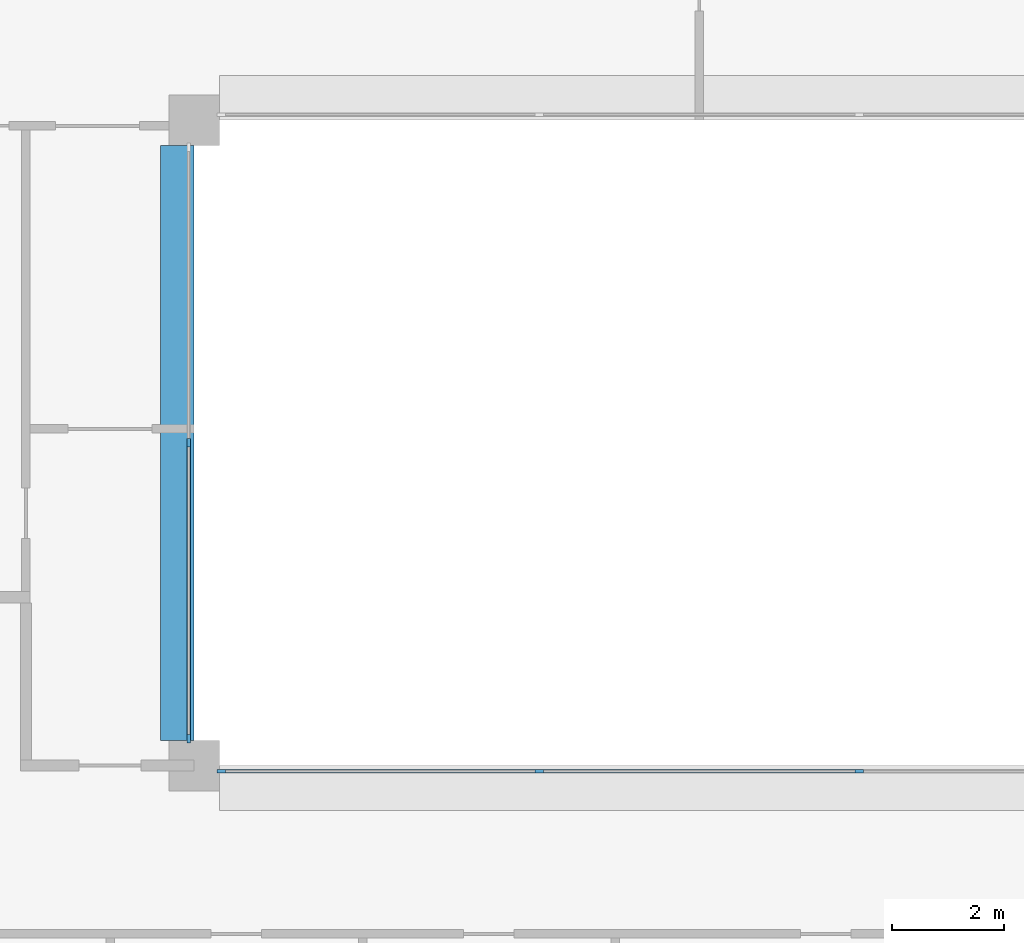
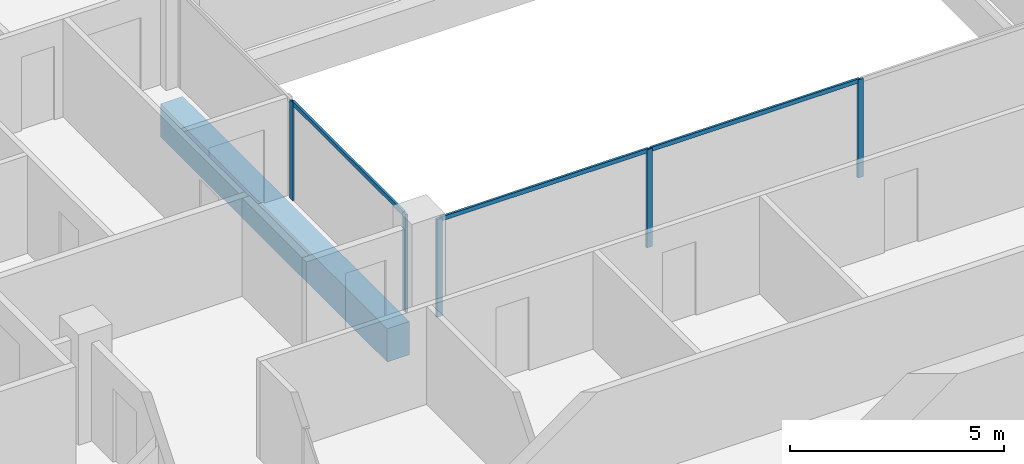
# One storey, part 2 of 15: 8 members, 1 beam, 2 elements without a shape of their own.
"""IFC4 building model written with IfcOpenShell, lengths in metres."""

from ifc_helpers import new_model, si_unit, direction, frame, origin, origin_2d, place, context, subcontext, project, spatial, rectangle, extrude, material, layer, layer_set, material_profile, profile_set, type_object, element, aggregate, save


model = new_model("IFC4")

# Units and contexts
model_context = context("Model", 3, precision=1e-05, world=origin(), true_north=direction((0.0, 1.0)))
body_context = subcontext(model_context, "Body", "Model", "MODEL_VIEW")
ifc_project = project(units=[si_unit("LENGTHUNIT", "METRE"), si_unit("AREAUNIT", "SQUARE_METRE"), si_unit("VOLUMEUNIT", "CUBIC_METRE"), si_unit("PLANEANGLEUNIT", "RADIAN"), si_unit("MASSUNIT", "GRAM", prefix="KILO")], contexts=[model_context])

# Site, building, storey
site_placement = place(None, origin())
site = spatial("IfcSite", under=ifc_project, at=site_placement, CompositionType="ELEMENT")
building_placement = place(site_placement, origin())
building = spatial("IfcBuilding", under=site, at=building_placement, Name="Brigalow Station Residences", CompositionType="ELEMENT")
storey_placement = place(building_placement, frame((0.0, 0.0, 232.64990234375)))
storey = spatial("IfcBuildingStorey", under=building, at=storey_placement, Name="L67", CompositionType="ELEMENT", Elevation=232.64990234375)

# Beam
ifc_material_1 = material(Name="Concrete C65", Category="concrete")
ifc_material_profile_1 = material_profile(ifc_material_1, rectangle(XDim=0.60009765625, YDim=0.949951171875, at=origin_2d()), Name="RC600x950")
ifc_profile_set_1 = profile_set([ifc_material_profile_1], Name="Concrete C65")
beam_type = type_object("IfcBeamType", Name="ATRIUM EDGE GIRDER 600x950 C65", PredefinedType="BEAM", material=ifc_profile_set_1)
beam_placement = place(storey_placement, frame((26.699951171875, 24.449951171875, -0.794921875), z_axis=(0.0, 1.0, 0.0), x_axis=(-1.0, 0.0, 0.0)))
element("IfcBeam", 1, at=beam_placement, inside=storey, type_object=beam_type, Name="ATRIUM EDGE GIRDER 3 L67", PredefinedType="BEAM", context=body_context, shape_type="SweptSolid", body=[
    extrude(rectangle(XDim=0.60009765625, YDim=0.949951171875, at=origin_2d()), origin(), (0.0, 0.0, 1.0), 10.60009765625),
])

# Curtain wall, members
ifc_material_2 = material(Name="Aluminium", Category="aluminium")
ifc_layer = layer(ifc_material_2, 0.14990234375)
ifc_layer_set = layer_set([ifc_layer], Name="ATRIUM FIRE-RATED GLAZING CURTAIN WALL")
curtain_wall_type = type_object("IfcCurtainWallType", Name="ATRIUM FIRE-RATED GLAZING CURTAIN WALL", PredefinedType="NOTDEFINED", material=ifc_layer_set)
curtain_wall_1_placement = place(storey_placement, origin())
curtain_wall_1 = element("IfcCurtainWall", 2, at=curtain_wall_1_placement, inside=storey, type_object=curtain_wall_type, Name="L67/cw/atrium-S", PredefinedType="NOTDEFINED")
ifc_material_3 = material(Name="Aluminium", Category="aluminium")
ifc_material_profile_2 = material_profile(ifc_material_3, rectangle(XDim=0.06005859375, YDim=0.14990234375, at=origin_2d()), Name="ATRIUM FIRE-RATED GLAZING MULLION 60x150")
ifc_profile_set_2 = profile_set([ifc_material_profile_2], Name="Aluminium")
member_type_1 = type_object("IfcMemberType", Name="ATRIUM FIRE-RATED GLAZING MULLION 60x150", PredefinedType="MULLION", material=ifc_profile_set_2)
member_1_placement = place(storey_placement, frame((27.47998046875, 23.89990234375, 0.0), z_axis=(0.0, 0.0, 1.0), x_axis=(0.0, 1.0, 0.0)))
member_1 = element("IfcMember", 3, at=member_1_placement, type_object=member_type_1, Name="L67/cw/atrium-S/M00", PredefinedType="MULLION", context=body_context, shape_type="SweptSolid", body=[
    extrude(rectangle(XDim=0.06005859375, YDim=0.14990234375, at=origin_2d()), origin(), (0.0, 0.0, 1.0), 2.800048828125),
])
member_2_placement = place(storey_placement, frame((33.14990234375, 23.89990234375, 0.0), z_axis=(0.0, 0.0, 1.0), x_axis=(0.0, 1.0, 0.0)))
member_2 = element("IfcMember", 4, at=member_2_placement, type_object=member_type_1, Name="L67/cw/atrium-S/M01", PredefinedType="MULLION", context=body_context, shape_type="SweptSolid", body=[
    extrude(rectangle(XDim=0.06005859375, YDim=0.14990234375, at=origin_2d()), origin(), (0.0, 0.0, 1.0), 2.800048828125),
])
member_3_placement = place(storey_placement, frame((38.85009765625, 23.89990234375, 0.0), z_axis=(0.0, 0.0, 1.0), x_axis=(0.0, 1.0, 0.0)))
member_3 = element("IfcMember", 5, at=member_3_placement, type_object=member_type_1, Name="L67/cw/atrium-S/M02", PredefinedType="MULLION", context=body_context, shape_type="SweptSolid", body=[
    extrude(rectangle(XDim=0.06005859375, YDim=0.14990234375, at=origin_2d()), origin(), (0.0, 0.0, 1.0), 2.800048828125),
])

curtain_wall_2_placement = place(storey_placement, origin())
curtain_wall_2 = element("IfcCurtainWall", 6, at=curtain_wall_2_placement, inside=storey, type_object=curtain_wall_type, Name="L67/cw/atrium-W", PredefinedType="NOTDEFINED")
member_4_placement = place(storey_placement, frame((26.89990234375, 29.75, 0.0), z_axis=(0.0, 0.0, 1.0), x_axis=(1.0, 0.0, 0.0)))
member_4 = element("IfcMember", 7, at=member_4_placement, type_object=member_type_1, Name="L67/cw/atrium-W/M01", PredefinedType="MULLION", context=body_context, shape_type="SweptSolid", body=[
    extrude(rectangle(XDim=0.06005859375, YDim=0.14990234375, at=origin_2d()), origin(), (0.0, 0.0, 1.0), 2.800048828125),
])
member_5_placement = place(storey_placement, frame((26.89990234375, 24.47998046875, 0.0), z_axis=(0.0, 0.0, 1.0), x_axis=(1.0, 0.0, 0.0)))
member_5 = element("IfcMember", 8, at=member_5_placement, type_object=member_type_1, Name="L67/cw/atrium-W/M02", PredefinedType="MULLION", context=body_context, shape_type="SweptSolid", body=[
    extrude(rectangle(XDim=0.06005859375, YDim=0.14990234375, at=origin_2d()), origin(), (0.0, 0.0, 1.0), 2.800048828125),
])

# Member
ifc_material_4 = material(Name="Aluminium", Category="aluminium")
ifc_material_profile_3 = material_profile(ifc_material_4, rectangle(XDim=0.06005859375, YDim=0.1201171875, at=origin_2d()), Name="ATRIUM FIRE-RATED GLAZING TRANSOM 60x120")
ifc_profile_set_3 = profile_set([ifc_material_profile_3], Name="Aluminium")
member_type_2 = type_object("IfcMemberType", Name="ATRIUM FIRE-RATED GLAZING TRANSOM 60x120", PredefinedType="USERDEFINED", material=ifc_profile_set_3)
member_6_placement = place(storey_placement, frame((27.510009765625, 23.89990234375, 2.77001953125), z_axis=(1.0, 0.0, 0.0), x_axis=(0.0, 1.0, 0.0)))
member_6 = element("IfcMember", 9, at=member_6_placement, type_object=member_type_2, Name="L67/cw/atrium-S/T00-00", ObjectType="TRANSOM", PredefinedType="USERDEFINED", context=body_context, shape_type="SweptSolid", body=[
    extrude(rectangle(XDim=0.06005859375, YDim=0.1201171875, at=origin_2d()), origin(), (0.0, 0.0, 1.0), 5.610107421875),
])

member_7_placement = place(storey_placement, frame((33.179931640625, 23.89990234375, 2.77001953125), z_axis=(1.0, 0.0, 0.0), x_axis=(0.0, 1.0, 0.0)))
member_7 = element("IfcMember", 10, at=member_7_placement, type_object=member_type_2, Name="L67/cw/atrium-S/T01-00", ObjectType="TRANSOM", PredefinedType="USERDEFINED", context=body_context, shape_type="SweptSolid", body=[
    extrude(rectangle(XDim=0.06005859375, YDim=0.1201171875, at=origin_2d()), origin(), (0.0, 0.0, 1.0), 5.64013671875),
])

aggregate(curtain_wall_1, [member_1, member_2, member_3, member_6, member_7])

member_8_placement = place(storey_placement, frame((26.89990234375, 29.719970703125, 2.77001953125), z_axis=(0.0, -1.0, 0.0), x_axis=(1.0, 0.0, 0.0)))
member_8 = element("IfcMember", 11, at=member_8_placement, type_object=member_type_2, Name="L67/cw/atrium-W/T01-00", ObjectType="TRANSOM", PredefinedType="USERDEFINED", context=body_context, shape_type="SweptSolid", body=[
    extrude(rectangle(XDim=0.06005859375, YDim=0.1201171875, at=origin_2d()), origin(), (0.0, 0.0, 1.0), 5.2099609375),
])

aggregate(curtain_wall_2, [member_4, member_5, member_8])

save(model, "model.ifc")
